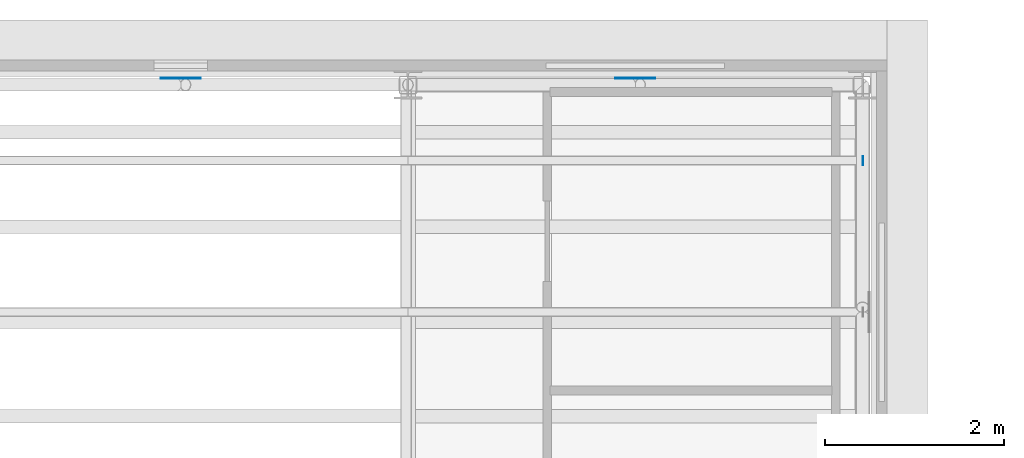
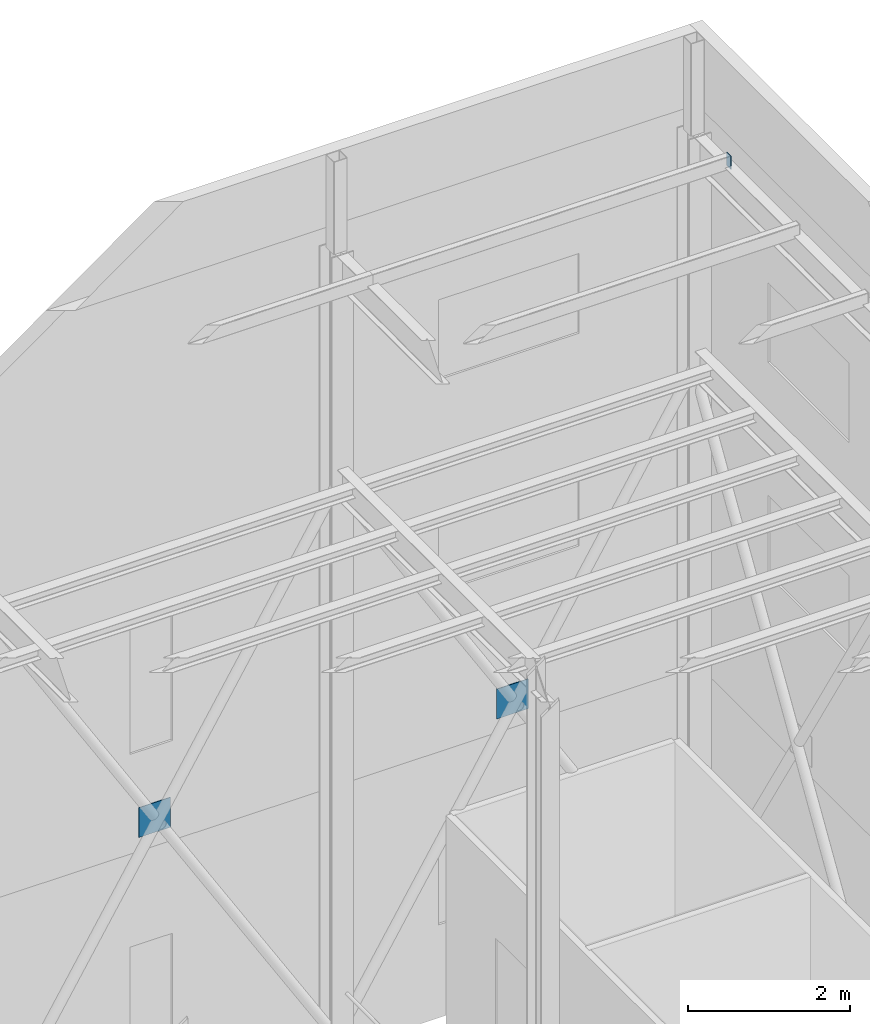
# One storey, part 17 of 22: 3 plates.
"""IFC4 building model written with IfcOpenShell, lengths in metres."""

from ifc_helpers import new_model, si_unit, direction, frame, origin, origin_2d, place, context, subcontext, project, spatial, rectangle, extrude, material, layer, layer_set, type_object, element, save


model = new_model("IFC4")

# Units and contexts
model_context = context("Model", 3, precision=1e-05, world=origin(), true_north=direction((0.0, 1.0)))
body_context = subcontext(model_context, "Body", "Model", "MODEL_VIEW")
ifc_project = project(units=[si_unit("LENGTHUNIT", "METRE"), si_unit("AREAUNIT", "SQUARE_METRE"), si_unit("VOLUMEUNIT", "CUBIC_METRE"), si_unit("PLANEANGLEUNIT", "RADIAN"), si_unit("MASSUNIT", "GRAM", prefix="KILO")], contexts=[model_context])

# Site, building, storey
site_placement = place(None, origin())
site = spatial("IfcSite", under=ifc_project, at=site_placement, CompositionType="ELEMENT")
building_placement = place(site_placement, origin())
building = spatial("IfcBuilding", under=site, at=building_placement, Name="Tide Square Theatres", CompositionType="ELEMENT")
storey_placement = place(building_placement, frame((0.0, 0.0, 24.0)))
storey = spatial("IfcBuildingStorey", under=building, at=storey_placement, Name="L05", CompositionType="ELEMENT", Elevation=24.0)

# Plates
ifc_material = material(Name="Steel ASTM A572 Grade 50", Category="steel")
ifc_layer = layer(ifc_material, 0.010009765625)
ifc_layer_set = layer_set([ifc_layer], Name="Steel ASTM A572 Grade 50")
plate_type = type_object("IfcPlateType", Name="Steel end plate 10 thick", PredefinedType="USERDEFINED", material=ifc_layer_set)
plate_placement = place(storey_placement, frame((96.72900390625, 80.875732421875, 12.16015625), z_axis=(0.0, 0.0, 1.0), x_axis=(1.0, 0.0, 0.0)))
element("IfcPlate", 1, at=plate_placement, inside=storey, type_object=plate_type, Name="Tower roof purlin end plate", ObjectType="END PLATE", PredefinedType="USERDEFINED", context=body_context, shape_type="SweptSolid", body=[
    extrude(rectangle(XDim=0.010009765625, YDim=0.10009765625, at=origin_2d()), origin(), (0.0, 0.0, 1.0), 0.199951171875),
])
for number, where, z_axis, x_axis, name in (
    (2, (89.089599609375, 81.797607421875, 4.27490234375), (0.0, 0.0, 1.0), (0.0, 1.0, 0.0), "Fly tower brace crossing node plate"),
    (3, (94.17919921875, 81.797607421875, 4.27490234375), (0.0, 0.0, 1.0), (0.0, 1.0, 0.0), "Fly tower brace crossing node plate"),
):
    element("IfcPlate", number, at=place(storey_placement, frame(where, z_axis=z_axis, x_axis=x_axis)), inside=storey, type_object=plate_type, Name=name, ObjectType="END PLATE", PredefinedType="USERDEFINED", context=body_context, shape_type="SweptSolid", body=[
        extrude(rectangle(XDim=0.010009765625, YDim=0.449951171875, at=origin_2d()), origin(), (0.0, 0.0, 1.0), 0.449951171875),
    ])

save(model, "model.ifc")
